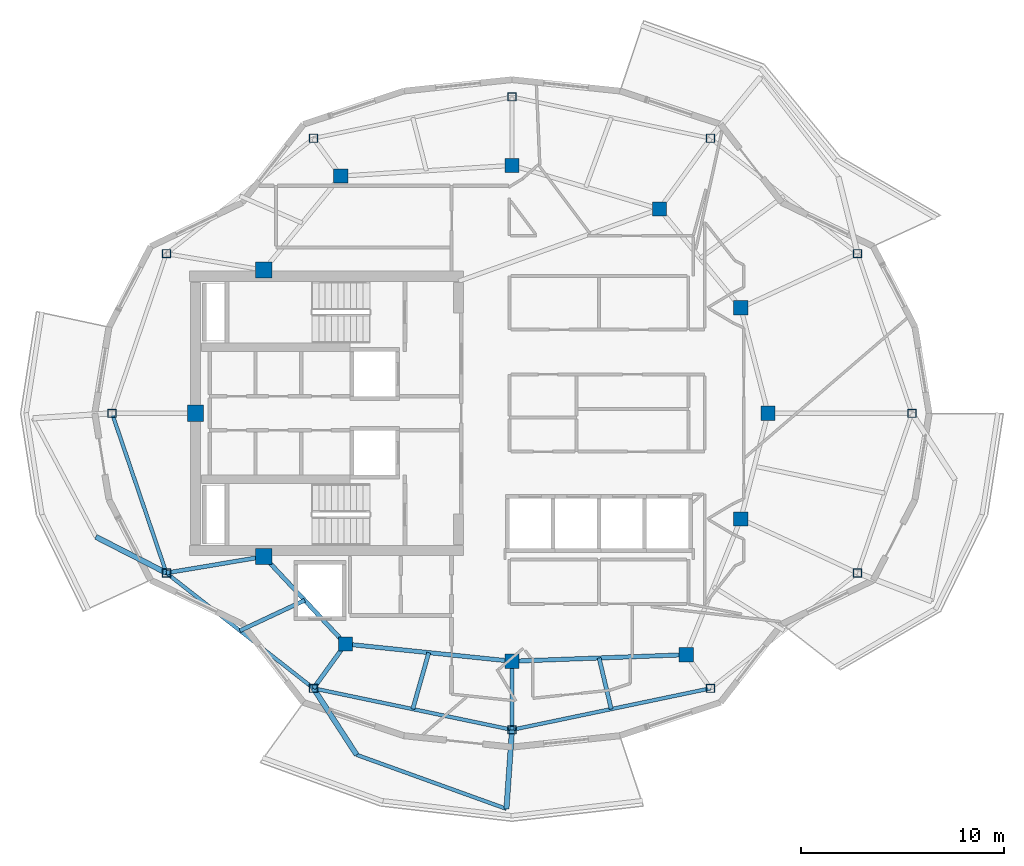
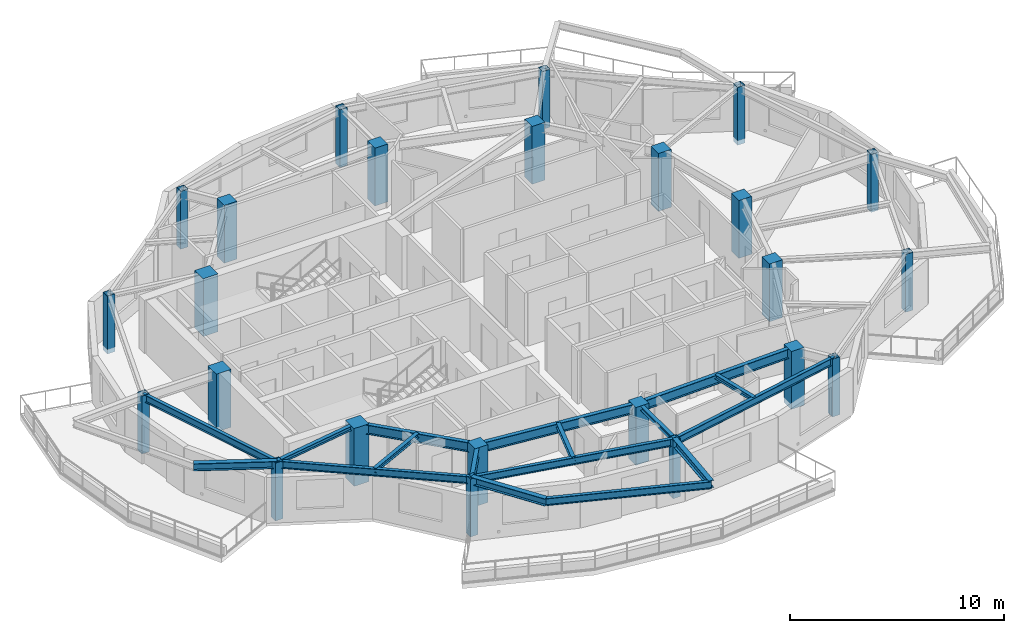
# One storey, part 1 of 11: 24 columns, 17 beams.
"""IFC4 building model written with IfcOpenShell, lengths in metres."""

from ifc_helpers import new_model, si_unit, direction, frame, origin, origin_2d, place, context, subcontext, project, spatial, rectangle, hollow_rectangle, i_section, extrude, material, material_profile, profile_set, type_object, element, save


model = new_model("IFC4")

# Units and contexts
model_context = context("Model", 3, precision=1e-05, world=origin(), true_north=direction((0.0, 1.0)))
body_context = subcontext(model_context, "Body", "Model", "MODEL_VIEW")
ifc_project = project(units=[si_unit("LENGTHUNIT", "METRE"), si_unit("AREAUNIT", "SQUARE_METRE"), si_unit("VOLUMEUNIT", "CUBIC_METRE"), si_unit("PLANEANGLEUNIT", "RADIAN"), si_unit("MASSUNIT", "GRAM", prefix="KILO")], contexts=[model_context])

# Site, building, storey
site_placement = place(None, origin())
site = spatial("IfcSite", under=ifc_project, at=site_placement, CompositionType="ELEMENT")
building_placement = place(site_placement, origin())
building = spatial("IfcBuilding", under=site, at=building_placement, Name="Kolvaren Gate Tower and Convention Centre", CompositionType="ELEMENT")
storey_placement = place(building_placement, frame((0.0, 0.0, 262.39990234375)))
storey = spatial("IfcBuildingStorey", under=building, at=storey_placement, Name="L71", CompositionType="ELEMENT", Elevation=262.39990234375)

# Columns
ifc_material_1 = material(Name="Structural steel ASTM A500 Grade C 345 MPa", Category="steel")
ifc_material_profile_1 = material_profile(ifc_material_1, hollow_rectangle(XDim=0.406005859375, YDim=0.406005859375, WallThickness=0.015869140625, at=origin_2d()), Name="HSS406X406X15.9")
ifc_profile_set_1 = profile_set([ifc_material_profile_1], Name="Structural steel ASTM A500 Grade C 345 MPa")
column_type_1 = type_object("IfcColumnType", Name="STR-COL-HSS406", PredefinedType="COLUMN", material=ifc_profile_set_1)
for number, where, z_axis, x_axis, name in (
    (1, (49.80615234375, 27.0, -0.27001953125), (0.0, 0.0, 1.0), (1.0, 0.0, 0.0), "Tower L71 Perimeter Supercolumn TP-01"),
    (2, (47.1337890625, 34.856201171875, -0.27001953125), (0.0, 0.0, 1.0), (1.0, 0.0, 0.0), "Tower L71 Perimeter Supercolumn TP-02"),
    (3, (39.893310546875, 40.53515625, -0.27001953125), (0.0, 0.0, 1.0), (1.0, 0.0, 0.0), "Tower L71 Perimeter Supercolumn TP-03"),
    (4, (30.125, 42.574951171875, -0.27001953125), (0.0, 0.0, 1.0), (1.0, 0.0, 0.0), "Tower L71 Perimeter Supercolumn TP-04"),
    (5, (20.356689453125, 40.53515625, -0.27001953125), (0.0, 0.0, 1.0), (1.0, 0.0, 0.0), "Tower L71 Perimeter Supercolumn TP-05"),
    (6, (13.1162109375, 34.856201171875, -0.27001953125), (0.0, 0.0, 1.0), (1.0, 0.0, 0.0), "Tower L71 Perimeter Supercolumn TP-06"),
    (7, (10.44384765625, 27.0, -0.27001953125), (0.0, 0.0, 1.0), (1.0, 0.0, 0.0), "Tower L71 Perimeter Supercolumn TP-07"),
    (8, (13.1162109375, 19.143798828125, -0.27001953125), (0.0, 0.0, 1.0), (1.0, 0.0, 0.0), "Tower L71 Perimeter Supercolumn TP-08"),
    (9, (20.356689453125, 13.46484375, -0.27001953125), (0.0, 0.0, 1.0), (1.0, 0.0, 0.0), "Tower L71 Perimeter Supercolumn TP-09"),
    (10, (30.125, 11.425048828125, -0.27001953125), (0.0, 0.0, 1.0), (1.0, 0.0, 0.0), "Tower L71 Perimeter Supercolumn TP-10"),
    (11, (39.893310546875, 13.46484375, -0.27001953125), (0.0, 0.0, 1.0), (1.0, 0.0, 0.0), "Tower L71 Perimeter Supercolumn TP-11"),
    (12, (47.1337890625, 19.143798828125, -0.27001953125), (0.0, 0.0, 1.0), (1.0, 0.0, 0.0), "Tower L71 Perimeter Supercolumn TP-12"),
):
    element("IfcColumn", number, at=place(storey_placement, frame(where, z_axis=z_axis, x_axis=x_axis)), inside=storey, type_object=column_type_1, Name=name, PredefinedType="COLUMN", context=body_context, shape_type="SweptSolid", body=[
        extrude(hollow_rectangle(XDim=0.406005859375, YDim=0.406005859375, WallThickness=0.015869140625, at=origin_2d()), origin(), (0.0, 0.0, 1.0), 3.300048828125),
    ])
ifc_material_2 = material(Name="Concrete C50/60", Category="concrete")
ifc_material_profile_2 = material_profile(ifc_material_2, rectangle(XDim=0.699951171875, YDim=0.699951171875, at=origin_2d()), Name="RC-COL-700X700")
ifc_profile_set_2 = profile_set([ifc_material_profile_2], Name="Concrete C50/60")
column_type_2 = type_object("IfcColumnType", Name="STR-COL-RC700", PredefinedType="COLUMN", material=ifc_profile_set_2)
for number, where, z_axis, x_axis, name in (
    (13, (42.72509765625, 27.0, -0.27001953125), (0.0, 0.0, 1.0), (1.0, 0.0, 0.0), "Tower L71 Interior Column TI-01"),
    (14, (41.382080078125, 32.199462890625, -0.27001953125), (0.0, 0.0, 1.0), (1.0, 0.0, 0.0), "Tower L71 Interior Column TI-02"),
    (15, (37.381591796875, 37.054931640625, -0.27001953125), (0.0, 0.0, 1.0), (1.0, 0.0, 0.0), "Tower L71 Interior Column TI-03"),
    (16, (30.125, 39.199951171875, -0.27001953125), (0.0, 0.0, 1.0), (1.0, 0.0, 0.0), "Tower L71 Interior Column TI-04"),
    (17, (21.697998046875, 38.6767578125, -0.27001953125), (0.0, 0.0, 1.0), (1.0, 0.0, 0.0), "Tower L71 Interior Column TI-05"),
    (18, (21.93212890625, 15.647705078125, -0.27001953125), (0.0, 0.0, 1.0), (1.0, 0.0, 0.0), "Tower L71 Interior Column TI-06"),
    (19, (30.125, 14.800048828125, -0.27001953125), (0.0, 0.0, 1.0), (1.0, 0.0, 0.0), "Tower L71 Interior Column TI-07"),
    (20, (38.6982421875, 15.12060546875, -0.27001953125), (0.0, 0.0, 1.0), (1.0, 0.0, 0.0), "Tower L71 Interior Column TI-08"),
    (21, (41.382080078125, 21.800537109375, -0.27001953125), (0.0, 0.0, 1.0), (1.0, 0.0, 0.0), "Tower L71 Interior Column TI-09"),
):
    element("IfcColumn", number, at=place(storey_placement, frame(where, z_axis=z_axis, x_axis=x_axis)), inside=storey, type_object=column_type_2, Name=name, PredefinedType="COLUMN", context=body_context, shape_type="SweptSolid", body=[
        extrude(rectangle(XDim=0.699951171875, YDim=0.699951171875, at=origin_2d()), origin(), (0.0, 0.0, 1.0), 3.300048828125),
    ])
ifc_material_3 = material(Name="Concrete C60/75", Category="concrete")
ifc_material_profile_3 = material_profile(ifc_material_3, rectangle(XDim=0.800048828125, YDim=0.800048828125, at=origin_2d()), Name="RC-COL-800X800")
ifc_profile_set_3 = profile_set([ifc_material_profile_3], Name="Concrete C60/75")
column_type_3 = type_object("IfcColumnType", Name="STR-PIL-RC800", PredefinedType="PILASTER", material=ifc_profile_set_3)
for number, where, z_axis, x_axis, name in (
    (22, (17.9140625, 34.050048828125, -0.27001953125), (0.0, 0.0, 1.0), (1.0, 0.0, 0.0), "Tower L71 Core Boundary Pilaster TC-05"),
    (23, (14.550048828125, 27.0, -0.27001953125), (0.0, 0.0, 1.0), (1.0, 0.0, 0.0), "Tower L71 Core Boundary Pilaster TC-06"),
    (24, (17.9140625, 19.949951171875, -0.27001953125), (0.0, 0.0, 1.0), (1.0, 0.0, 0.0), "Tower L71 Core Boundary Pilaster TC-07"),
):
    element("IfcColumn", number, at=place(storey_placement, frame(where, z_axis=z_axis, x_axis=x_axis)), inside=storey, type_object=column_type_3, Name=name, PredefinedType="PILASTER", context=body_context, shape_type="SweptSolid", body=[
        extrude(rectangle(XDim=0.800048828125, YDim=0.800048828125, at=origin_2d()), origin(), (0.0, 0.0, 1.0), 3.300048828125),
    ])

# Beams
ifc_material_4 = material(Name="Structural steel ASTM A992 Grade 345 MPa", Category="steel")
ifc_material_profile_4 = material_profile(ifc_material_4, i_section(OverallWidth=0.260009765625, OverallDepth=0.419921875, WebThickness=0.013427734375, FlangeThickness=0.0224609375, at=origin_2d()), Name="W410X132")
ifc_profile_set_4 = profile_set([ifc_material_profile_4], Name="Structural steel ASTM A992 Grade 345 MPa")
beam_type_1 = type_object("IfcBeamType", Name="STR-BM-W410X132", PredefinedType="BEAM", material=ifc_profile_set_4)
for number, where, z_axis, x_axis, name in (
    (25, (13.1162109375, 19.143798828125, 2.820556640625), (-0.889772489372, 0.456404335164, 0.0), (-0.456404335164, -0.889772489372, 0.0), "Tower L72 Planted Balcony Outrigger Cantilever BC-2B"),
    (26, (20.356689453125, 13.46484375, 2.820556640625), (0.544416149216, -0.838815269575, 0.0), (0.838815269575, 0.544416149216, 0.0), "Tower L72 Planted Balcony Outrigger Cantilever BC-3A"),
):
    element("IfcBeam", number, at=place(storey_placement, frame(where, z_axis=z_axis, x_axis=x_axis)), inside=storey, type_object=beam_type_1, Name=name, PredefinedType="BEAM", context=body_context, shape_type="SweptSolid", body=[
        extrude(i_section(OverallWidth=0.260009765625, OverallDepth=0.419921875, WebThickness=0.013427734375, FlangeThickness=0.0224609375, at=origin_2d()), origin(), (0.0, 0.0, 1.0), 3.900146484375),
    ])
beam_1_placement = place(storey_placement, frame((30.125, 11.425048828125, 2.820556640625), z_axis=(-0.070050275129, -0.997543462188, 0.0), x_axis=(0.997543462188, -0.070050275129, 0.0)))
element("IfcBeam", 27, at=beam_1_placement, inside=storey, type_object=beam_type_1, Name="Tower L72 Planted Balcony Outrigger Cantilever BC-3B", PredefinedType="BEAM", context=body_context, shape_type="SweptSolid", body=[
    extrude(i_section(OverallWidth=0.260009765625, OverallDepth=0.419921875, WebThickness=0.013427734375, FlangeThickness=0.0224609375, at=origin_2d()), origin(), (0.0, 0.0, 1.0), 3.89990234375),
])
ifc_material_profile_5 = material_profile(ifc_material_4, i_section(OverallWidth=0.2119140625, OverallDepth=0.5439453125, WebThickness=0.01318359375, FlangeThickness=0.021240234375, at=origin_2d()), Name="W530X123")
ifc_profile_set_5 = profile_set([ifc_material_profile_5], Name="Structural steel ASTM A992 Grade 345 MPa")
beam_type_2 = type_object("IfcBeamType", Name="STR-BM-W530X123", PredefinedType="BEAM", material=ifc_profile_set_5)
beam_2_placement = place(storey_placement, frame((17.9140625, 19.949951171875, 2.758056640625), z_axis=(0.682557592987, -0.730831808459, 0.0), x_axis=(0.730831808459, 0.682557592987, 0.0)))
element("IfcBeam", 28, at=beam_2_placement, inside=storey, type_object=beam_type_2, Name="Tower L71 Primary Ring Girder G-06", PredefinedType="BEAM", context=body_context, shape_type="SweptSolid", body=[
    extrude(i_section(OverallWidth=0.2119140625, OverallDepth=0.5439453125, WebThickness=0.01318359375, FlangeThickness=0.021240234375, at=origin_2d()), origin(), (0.0, 0.0, 1.0), 5.88671875),
])
beam_3_placement = place(storey_placement, frame((21.93212890625, 15.647705078125, 2.758056640625), z_axis=(0.994690329115, -0.102913308978, 0.0), x_axis=(0.102913308978, 0.994690329115, 0.0)))
element("IfcBeam", 29, at=beam_3_placement, inside=storey, type_object=beam_type_2, Name="Tower L71 Primary Ring Girder G-07", PredefinedType="BEAM", context=body_context, shape_type="SweptSolid", body=[
    extrude(i_section(OverallWidth=0.2119140625, OverallDepth=0.5439453125, WebThickness=0.01318359375, FlangeThickness=0.021240234375, at=origin_2d()), origin(), (0.0, 0.0, 1.0), 8.236572265625),
])
beam_4_placement = place(storey_placement, frame((30.125, 14.800048828125, 2.758056640625), z_axis=(0.999301712453, 0.037364254142, 0.0), x_axis=(-0.037364254142, 0.999301712453, 0.0)))
element("IfcBeam", 30, at=beam_4_placement, inside=storey, type_object=beam_type_2, Name="Tower L71 Primary Ring Girder G-08", PredefinedType="BEAM", context=body_context, shape_type="SweptSolid", body=[
    extrude(i_section(OverallWidth=0.2119140625, OverallDepth=0.5439453125, WebThickness=0.01318359375, FlangeThickness=0.021240234375, at=origin_2d()), origin(), (0.0, 0.0, 1.0), 8.579345703125),
])
beam_5_placement = place(storey_placement, frame((21.93212890625, 15.647705078125, 2.758056640625), z_axis=(-0.585228935975, -0.810868110421, 0.0), x_axis=(0.810868110421, -0.585228935975, 0.0)))
element("IfcBeam", 31, at=beam_5_placement, inside=storey, type_object=beam_type_2, Name="Tower L71 Radial Floor Girder RB-09", PredefinedType="BEAM", context=body_context, shape_type="SweptSolid", body=[
    extrude(i_section(OverallWidth=0.2119140625, OverallDepth=0.5439453125, WebThickness=0.01318359375, FlangeThickness=0.021240234375, at=origin_2d()), origin(), (0.0, 0.0, 1.0), 2.69189453125),
])
ifc_material_profile_6 = material_profile(ifc_material_4, i_section(OverallWidth=0.202880859375, OverallDepth=0.251953125, WebThickness=0.008056640625, FlangeThickness=0.013427734375, at=origin_2d()), Name="W250X58")
ifc_profile_set_6 = profile_set([ifc_material_profile_6], Name="Structural steel ASTM A992 Grade 345 MPa")
beam_type_3 = type_object("IfcBeamType", Name="STR-JS-W250X58", PredefinedType="JOIST", material=ifc_profile_set_6)
beam_6_placement = place(storey_placement, frame((17.9140625, 19.949951171875, 2.904052734375), z_axis=(-0.986176061403, -0.165700862749, 0.0), x_axis=(0.165700862749, -0.986176061403, 0.0)))
element("IfcBeam", 32, at=beam_6_placement, inside=storey, type_object=beam_type_3, Name="Tower L71 Radial Floor Girder RB-08", PredefinedType="JOIST", context=body_context, shape_type="SweptSolid", body=[
    extrude(i_section(OverallWidth=0.202880859375, OverallDepth=0.251953125, WebThickness=0.008056640625, FlangeThickness=0.013427734375, at=origin_2d()), origin(), (0.0, 0.0, 1.0), 4.864990234375),
])
beam_7_placement = place(storey_placement, frame((30.125, 14.800048828125, 2.904052734375), z_axis=(0.0, -1.0, 0.0), x_axis=(1.0, 0.0, 0.0)))
element("IfcBeam", 33, at=beam_7_placement, inside=storey, type_object=beam_type_3, Name="Tower L71 Radial Floor Girder RB-10", PredefinedType="JOIST", context=body_context, shape_type="SweptSolid", body=[
    extrude(i_section(OverallWidth=0.202880859375, OverallDepth=0.251953125, WebThickness=0.008056640625, FlangeThickness=0.013427734375, at=origin_2d()), origin(), (0.0, 0.0, 1.0), 3.375),
])
beam_8_placement = place(storey_placement, frame((19.923095703125, 17.798828125, 2.904052734375), z_axis=(-0.90535561097, -0.424654233095, 0.0), x_axis=(0.424654233095, -0.90535561097, 0.0)))
element("IfcBeam", 34, at=beam_8_placement, inside=storey, type_object=beam_type_3, Name="Tower L71 Secondary Composite Floor Joist J-08.1", PredefinedType="JOIST", context=body_context, shape_type="SweptSolid", body=[
    extrude(i_section(OverallWidth=0.202880859375, OverallDepth=0.251953125, WebThickness=0.008056640625, FlangeThickness=0.013427734375, at=origin_2d()), origin(), (0.0, 0.0, 1.0), 3.51953125),
])
beam_9_placement = place(storey_placement, frame((26.028564453125, 15.223876953125, 2.904052734375), z_axis=(-0.272666468309, -0.962108620198, 0.0), x_axis=(0.962108620198, -0.272666468309, 0.0)))
element("IfcBeam", 35, at=beam_9_placement, inside=storey, type_object=beam_type_3, Name="Tower L71 Secondary Composite Floor Joist J-09.1", PredefinedType="JOIST", context=body_context, shape_type="SweptSolid", body=[
    extrude(i_section(OverallWidth=0.202880859375, OverallDepth=0.251953125, WebThickness=0.008056640625, FlangeThickness=0.013427734375, at=origin_2d()), origin(), (0.0, 0.0, 1.0), 2.888427734375),
])
beam_10_placement = place(storey_placement, frame((34.41162109375, 14.960205078125, 2.904052734375), z_axis=(0.231075782924, -0.972935754583, 0.0), x_axis=(0.972935754583, 0.231075782924, 0.0)))
element("IfcBeam", 36, at=beam_10_placement, inside=storey, type_object=beam_type_3, Name="Tower L71 Secondary Composite Floor Joist J-10.1", PredefinedType="JOIST", context=body_context, shape_type="SweptSolid", body=[
    extrude(i_section(OverallWidth=0.202880859375, OverallDepth=0.251953125, WebThickness=0.008056640625, FlangeThickness=0.013427734375, at=origin_2d()), origin(), (0.0, 0.0, 1.0), 2.58544921875),
])
ifc_material_profile_7 = material_profile(ifc_material_4, i_section(OverallWidth=0.180908203125, OverallDepth=0.4169921875, WebThickness=0.010986328125, FlangeThickness=0.018310546875, at=origin_2d()), Name="W410X85")
ifc_profile_set_7 = profile_set([ifc_material_profile_7], Name="Structural steel ASTM A992 Grade 345 MPa")
beam_type_4 = type_object("IfcBeamType", Name="STR-SP-W410X85", PredefinedType="SPANDREL", material=ifc_profile_set_7)
beam_11_placement = place(storey_placement, frame((10.44384765625, 27.0, 2.821533203125), z_axis=(0.322038282171, -0.946726647357, 0.0), x_axis=(0.946726647357, 0.322038282171, 0.0)))
element("IfcBeam", 37, at=beam_11_placement, inside=storey, type_object=beam_type_4, Name="Tower L71 Perimeter Spandrel Beam SP-07", PredefinedType="SPANDREL", context=body_context, shape_type="SweptSolid", body=[
    extrude(i_section(OverallWidth=0.180908203125, OverallDepth=0.4169921875, WebThickness=0.010986328125, FlangeThickness=0.018310546875, at=origin_2d()), origin(), (0.0, 0.0, 1.0), 8.29833984375),
])
beam_12_placement = place(storey_placement, frame((13.1162109375, 19.143798828125, 2.821533203125), z_axis=(0.786845586039, -0.61714991998, 0.0), x_axis=(0.61714991998, 0.786845586039, 0.0)))
element("IfcBeam", 38, at=beam_12_placement, inside=storey, type_object=beam_type_4, Name="Tower L71 Perimeter Spandrel Beam SP-08", PredefinedType="SPANDREL", context=body_context, shape_type="SweptSolid", body=[
    extrude(i_section(OverallWidth=0.180908203125, OverallDepth=0.4169921875, WebThickness=0.010986328125, FlangeThickness=0.018310546875, at=origin_2d()), origin(), (0.0, 0.0, 1.0), 9.201904296875),
])
for number, where, z_axis, x_axis, name in (
    (39, (20.356689453125, 13.46484375, 2.821533203125), (0.978885668593, -0.204408531681, 0.0), (0.204408531681, 0.978885668593, 0.0), "Tower L71 Perimeter Spandrel Beam SP-09"),
    (40, (30.125, 11.425048828125, 2.821533203125), (0.978885668593, 0.204408531681, 0.0), (-0.204408531681, 0.978885668593, 0.0), "Tower L71 Perimeter Spandrel Beam SP-10"),
):
    element("IfcBeam", number, at=place(storey_placement, frame(where, z_axis=z_axis, x_axis=x_axis)), inside=storey, type_object=beam_type_4, Name=name, PredefinedType="SPANDREL", context=body_context, shape_type="SweptSolid", body=[
        extrude(i_section(OverallWidth=0.180908203125, OverallDepth=0.4169921875, WebThickness=0.010986328125, FlangeThickness=0.018310546875, at=origin_2d()), origin(), (0.0, 0.0, 1.0), 9.97900390625),
    ])
beam_13_placement = place(storey_placement, frame((22.47998046875, 10.193359375, 2.822021484375), z_axis=(0.940690666396, -0.339265486241, 0.0), x_axis=(0.339265486241, 0.940690666396, 0.0)))
element("IfcBeam", 41, at=beam_13_placement, inside=storey, type_object=beam_type_4, Name="Tower L72 Planted Balcony Header Tie Beam BT-3", PredefinedType="SPANDREL", context=body_context, shape_type="SweptSolid", body=[
    extrude(i_section(OverallWidth=0.180908203125, OverallDepth=0.4169921875, WebThickness=0.010986328125, FlangeThickness=0.018310546875, at=origin_2d()), origin(), (0.0, 0.0, 1.0), 7.836669921875),
])

save(model, "model.ifc")
